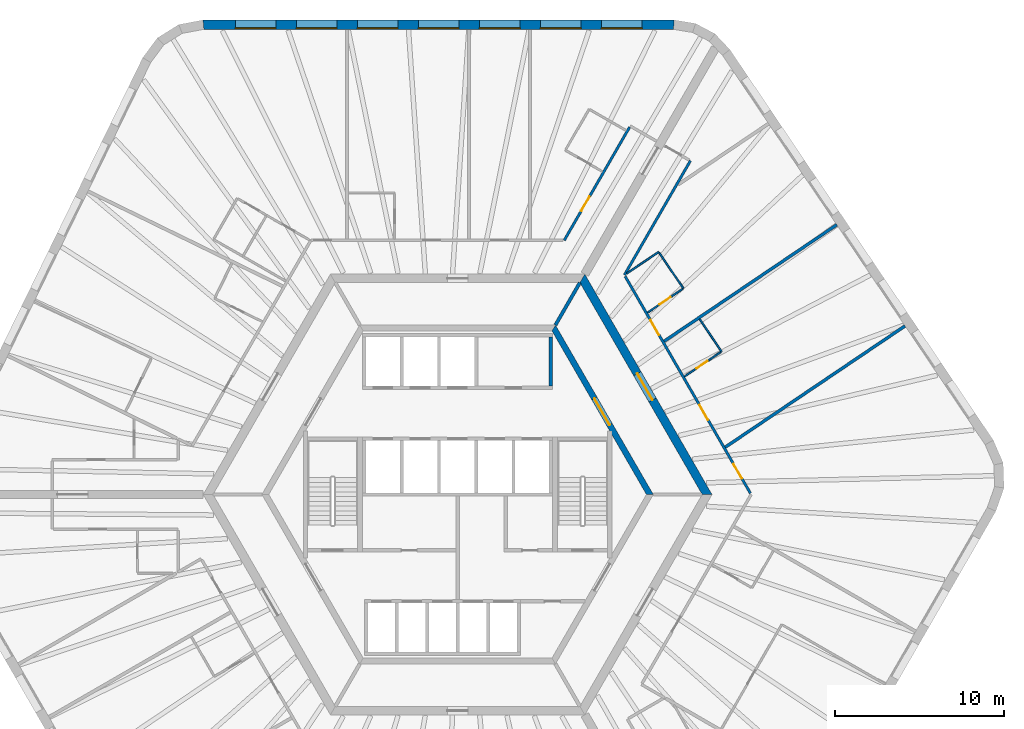
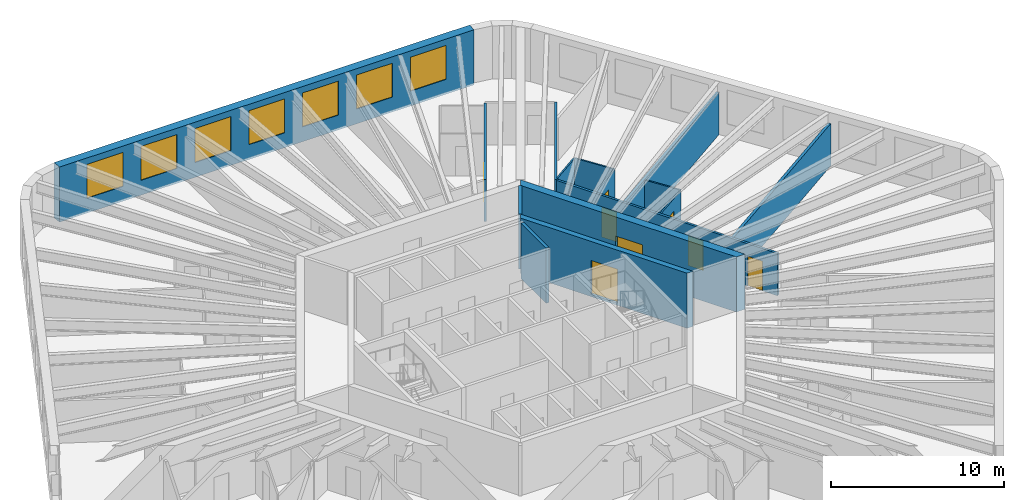
# One storey, part 8 of 10: 15 walls, 8 doors, 7 windows, 15 openings.
"""IFC4 building model written with IfcOpenShell, lengths in metres."""

from ifc_helpers import new_model, si_unit, direction, frame, frame_2d, origin, place, context, subcontext, project, spatial, polyline, rectangle, outline, extrude, material, layer, layer_set, type_object, element, fill, save


model = new_model("IFC4")

# Units and contexts
model_context = context("Model", 3, precision=1e-05, world=origin(), true_north=direction((0.0, 1.0)))
body_context = subcontext(model_context, "Body", "Model", "MODEL_VIEW")
ifc_project = project(units=[si_unit("LENGTHUNIT", "METRE"), si_unit("AREAUNIT", "SQUARE_METRE"), si_unit("VOLUMEUNIT", "CUBIC_METRE"), si_unit("PLANEANGLEUNIT", "RADIAN"), si_unit("MASSUNIT", "GRAM", prefix="KILO")], contexts=[model_context])

# Site, building, storey
site_placement = place(None, origin())
site = spatial("IfcSite", under=ifc_project, at=site_placement, CompositionType="ELEMENT")
building_placement = place(site_placement, origin())
building = spatial("IfcBuilding", under=site, at=building_placement, Name="Tarnside Tower", CompositionType="ELEMENT")
storey_placement = place(building_placement, frame((0.0, 0.0, 211.199951171875)))
storey = spatial("IfcBuildingStorey", under=building, at=storey_placement, Name="L50", CompositionType="ELEMENT", Elevation=211.199951171875)

# Wall
ifc_material_1 = material(Name="Gypsum board partition on steel studs", Category="steel")
ifc_layer_1 = layer(ifc_material_1, 0.10009765625)
ifc_layer_set_1 = layer_set([ifc_layer_1], Name="Bathroom wall 100")
wall_type_1 = type_object("IfcWallType", Name="Bathroom wall 100", PredefinedType="PARTITIONING", material=ifc_layer_set_1)
wall_1_placement = place(storey_placement, frame((14.287109375, 10.350830078125, 0.0), z_axis=(0.0, 0.0, 1.0), x_axis=(0.559204176839, -0.829029968461, 0.0)))
element("IfcWall", 1, at=wall_1_placement, inside=storey, type_object=wall_type_1, Name="Bathroom wall 16107", PredefinedType="PARTITIONING", context=body_context, shape_type="SweptSolid", body=[
    extrude(rectangle(XDim=2.31005859375, YDim=0.10009765625, at=frame_2d((1.155029296875, 0.0))), origin(), (0.0, 0.0, 1.0), 2.98779296875),
])

# Wall, opening, door
wall_2_placement = place(storey_placement, frame((15.537353515625, 8.40771484375, 0.0), z_axis=(0.0, 0.0, 1.0), x_axis=(-0.829051810631, -0.559171794076, 0.0)))
wall_2 = element("IfcWall", 2, at=wall_2_placement, inside=storey, type_object=wall_type_1, Name="Bathroom wall 16108", PredefinedType="PARTITIONING", context=body_context, shape_type="SweptSolid", body=[
    extrude(rectangle(XDim=2.5908203125, YDim=0.10009765625, at=frame_2d((1.29541015625, 0.0))), origin(), (0.0, 0.0, 1.0), 2.98779296875),
])
opening_1_placement = place(wall_2_placement, frame((0.949951171875, 0.0, 0.0)))
opening_1 = element("IfcOpeningElement", 3, at=opening_1_placement, cuts=wall_2, Name="Opening D-B1", PredefinedType="OPENING", context=body_context, shape_type="SweptSolid", body=[
    extrude(rectangle(XDim=0.800048828125, YDim=2.10009765625, at=frame_2d((0.39990234375, 1.050048828125))), frame((0.0, 0.06005859375, 0.0), z_axis=(0.0, -1.0, 0.0), x_axis=(1.0, 0.0, 0.0)), (0.0, 0.0, 1.0), 0.1201171875),
])
ifc_material_2 = material(Name="Timber door leaf", Category="wood")
door_type_1 = type_object("IfcDoorType", Name="Bathroom door 800", OperationType="NOTDEFINED", PredefinedType="DOOR", material=ifc_material_2)
door_1_placement = place(opening_1_placement, origin())
door_1 = element("IfcDoor", 4, at=door_1_placement, inside=storey, type_object=door_type_1, Name="Bathroom door 16032", OperationType="SINGLE_SWING_LEFT", OverallHeight=2.10009765625, OverallWidth=0.800048828125, PredefinedType="DOOR", context=body_context, shape_type="SweptSolid", body=[
    extrude(rectangle(XDim=0.800048828125, YDim=2.10009765625, at=frame_2d((0.39990234375, 1.050048828125))), frame((0.0, 0.02490234375, 0.0), z_axis=(0.0, -1.0, 0.0), x_axis=(1.0, 0.0, 0.0)), (0.0, 0.0, 1.0), 0.050048828125),
])
fill(opening_1, door_1)

# Walls
wall_3_placement = place(storey_placement, frame((9.985595703125, 13.045654296875, 0.0), z_axis=(0.0, 0.0, 1.0), x_axis=(0.829043139518, 0.55918465002, 0.0)))
element("IfcWall", 5, at=wall_3_placement, inside=storey, type_object=wall_type_1, Name="Bathroom wall 16111", PredefinedType="PARTITIONING", context=body_context, shape_type="SweptSolid", body=[
    extrude(rectangle(XDim=2.269775390625, YDim=0.10009765625, at=frame_2d((1.134765625, 0.0))), origin(), (0.0, 0.0, 1.0), 2.98779296875),
])
wall_4_placement = place(storey_placement, frame((11.8955078125, 14.2734375, 0.0), z_axis=(0.0, 0.0, 1.0), x_axis=(0.559155442782, -0.829062838878, 0.0)))
element("IfcWall", 6, at=wall_4_placement, inside=storey, type_object=wall_type_1, Name="Bathroom wall 16112", PredefinedType="PARTITIONING", context=body_context, shape_type="SweptSolid", body=[
    extrude(rectangle(XDim=2.5498046875, YDim=0.10009765625, at=frame_2d((1.27490234375, 0.0))), origin(), (0.0, 0.0, 1.0), 2.98779296875),
])

# Wall, opening, door
wall_5_placement = place(storey_placement, frame((13.27978515625, 12.131591796875, 0.0), z_axis=(0.0, 0.0, 1.0), x_axis=(-0.829015218944, -0.559226042634, 0.0)))
wall_5 = element("IfcWall", 7, at=wall_5_placement, inside=storey, type_object=wall_type_1, Name="Bathroom wall 16113", PredefinedType="PARTITIONING", context=body_context, shape_type="SweptSolid", body=[
    extrude(rectangle(XDim=2.49755859375, YDim=0.10009765625, at=frame_2d((1.248779296875, 0.0))), origin(), (0.0, 0.0, 1.0), 2.98779296875),
])
opening_2_placement = place(wall_5_placement, frame((0.85009765625, 0.0, 0.0)))
opening_2 = element("IfcOpeningElement", 8, at=opening_2_placement, cuts=wall_5, Name="Opening D-B1", PredefinedType="OPENING", context=body_context, shape_type="SweptSolid", body=[
    extrude(rectangle(XDim=0.800048828125, YDim=2.10009765625, at=frame_2d((0.39990234375, 1.050048828125))), frame((0.0, 0.06005859375, 0.0), z_axis=(0.0, -1.0, 0.0), x_axis=(1.0, 0.0, 0.0)), (0.0, 0.0, 1.0), 0.1201171875),
])
door_2_placement = place(opening_2_placement, origin())
door_2 = element("IfcDoor", 9, at=door_2_placement, inside=storey, type_object=door_type_1, Name="Bathroom door 16034", OperationType="SINGLE_SWING_LEFT", OverallHeight=2.10009765625, OverallWidth=0.800048828125, PredefinedType="DOOR", context=body_context, shape_type="SweptSolid", body=[
    extrude(rectangle(XDim=0.800048828125, YDim=2.10009765625, at=frame_2d((0.39990234375, 1.050048828125))), frame((0.0, 0.02490234375, 0.0), z_axis=(0.0, -1.0, 0.0), x_axis=(1.0, 0.0, 0.0)), (0.0, 0.0, 1.0), 0.050048828125),
])
fill(opening_2, door_2)

ifc_material_3 = material(Name="Concrete C50/60", Category="concrete")
ifc_layer_2 = layer(ifc_material_3, 0.35009765625)
ifc_layer_set_2 = layer_set([ifc_layer_2], Name="Core block wall 350 C50/60")
wall_type_2 = type_object("IfcWallType", Name="Core block wall 350 C50/60", PredefinedType="SHEAR", material=ifc_layer_set_2)
wall_6_placement = place(storey_placement, frame((11.344970703125, 0.0, -0.14990234375), z_axis=(0.0, 0.0, 1.0), x_axis=(-0.499995046907, 0.866028263435, 0.0)))
wall_6 = element("IfcWall", 10, at=wall_6_placement, inside=storey, type_object=wall_type_2, Name="L50 core block wall face 6", PredefinedType="SHEAR", context=body_context, shape_type="SweptSolid", body=[
    extrude(outline(polyline([(-0.10107421875, -0.175048828125), (11.44580078125, -0.175048828125), (11.24365234375, 0.175048828125), (0.10107421875, 0.175048828125), (-0.10107421875, -0.175048828125)])), origin(), (0.0, 0.0, 1.0), 3.89990234375),
])
opening_3_placement = place(wall_6_placement, frame((4.74365234375, 0.0, 0.14990234375)))
opening_3 = element("IfcOpeningElement", 11, at=opening_3_placement, cuts=wall_6, Name="Opening CD-LOB", PredefinedType="OPENING", context=body_context, shape_type="SweptSolid", body=[
    extrude(rectangle(XDim=1.800048828125, YDim=2.39990234375, at=frame_2d((0.89990234375, 1.199951171875))), frame((0.0, 0.18505859375, 0.0), z_axis=(0.0, -1.0, 0.0), x_axis=(1.0, 0.0, 0.0)), (0.0, 0.0, 1.0), 0.3701171875),
])
ifc_material_4 = material(Name="Steel fire door", Category="steel")
door_type_2 = type_object("IfcDoorType", Name="Lobby double door FD30S 1800x2400", OperationType="NOTDEFINED", PredefinedType="DOOR", material=ifc_material_4)
door_3_placement = place(opening_3_placement, origin())
door_3 = element("IfcDoor", 12, at=door_3_placement, inside=storey, type_object=door_type_2, Name="L50 lobby block door P2", OperationType="DOUBLE_DOOR_SINGLE_SWING", OverallHeight=2.39990234375, OverallWidth=1.800048828125, PredefinedType="DOOR", context=body_context, shape_type="SweptSolid", body=[
    extrude(rectangle(XDim=1.800048828125, YDim=2.39990234375, at=frame_2d((0.89990234375, 1.199951171875))), frame((0.0, 0.02490234375, 0.0), z_axis=(0.0, -1.0, 0.0), x_axis=(1.0, 0.0, 0.0)), (0.0, 0.0, 1.0), 0.050048828125),
])
fill(opening_3, door_3)

ifc_material_5 = material(Name="Concrete C70/85", Category="concrete")
ifc_layer_3 = layer(ifc_material_5, 0.5)
ifc_layer_set_3 = layer_set([ifc_layer_3], Name="Core wall Z2 500 C70/85")
wall_type_3 = type_object("IfcWallType", Name="Core wall Z2 500 C70/85", PredefinedType="SHEAR", material=ifc_layer_set_3)
wall_7_placement = place(storey_placement, frame((14.722412109375, 0.0, -0.14990234375), z_axis=(0.0, 0.0, 1.0), x_axis=(-0.50000571537, 0.866022103989, 0.0)))
wall_7 = element("IfcWall", 13, at=wall_7_placement, inside=storey, type_object=wall_type_3, Name="L50 core wall face 6", PredefinedType="SHEAR", context=body_context, shape_type="SweptSolid", body=[
    extrude(outline(polyline([(-0.144287109375, -0.25), (14.86669921875, -0.25), (14.578125, 0.25), (0.144287109375, 0.25), (-0.144287109375, -0.25)])), origin(), (0.0, 0.0, 1.0), 3.89990234375),
])
opening_4_placement = place(wall_7_placement, frame((6.432373046875, 0.0, 0.14990234375)))
opening_4 = element("IfcOpeningElement", 14, at=opening_4_placement, cuts=wall_7, Name="Opening CD-LOB", PredefinedType="OPENING", context=body_context, shape_type="SweptSolid", body=[
    extrude(rectangle(XDim=1.800048828125, YDim=2.39990234375, at=frame_2d((0.89990234375, 1.199951171875))), frame((0.0, 0.260009765625, 0.0), z_axis=(0.0, -1.0, 0.0), x_axis=(1.0, 0.0, 0.0)), (0.0, 0.0, 1.0), 0.52001953125),
])
door_4_placement = place(opening_4_placement, origin())
door_4 = element("IfcDoor", 15, at=door_4_placement, inside=storey, type_object=door_type_2, Name="L50 core door P2", OperationType="DOUBLE_DOOR_SINGLE_SWING", OverallHeight=2.39990234375, OverallWidth=1.800048828125, PredefinedType="DOOR", context=body_context, shape_type="SweptSolid", body=[
    extrude(rectangle(XDim=1.800048828125, YDim=2.39990234375, at=frame_2d((0.89990234375, 1.199951171875))), frame((0.0, 0.02490234375, 0.0), z_axis=(0.0, -1.0, 0.0), x_axis=(1.0, 0.0, 0.0)), (0.0, 0.0, 1.0), 0.050048828125),
])
fill(opening_4, door_4)

ifc_layer_4 = layer(ifc_material_1, 0.14990234375)
ifc_layer_set_4 = layer_set([ifc_layer_4], Name="Corridor wall 150 EI 60")
wall_type_4 = type_object("IfcWallType", Name="Corridor wall 150 EI 60", PredefinedType="PARTITIONING", material=ifc_layer_set_4)
wall_8_placement = place(storey_placement, frame((10.148681640625, 21.677978515625, 0.0), z_axis=(0.0, 0.0, 1.0), x_axis=(-0.499993780622, -0.866028994514, 0.0)))
wall_8 = element("IfcWall", 16, at=wall_8_placement, inside=storey, type_object=wall_type_4, Name="Corridor wall 16001", PredefinedType="PARTITIONING", context=body_context, shape_type="SweptSolid", body=[
    extrude(rectangle(XDim=7.7109375, YDim=0.14990234375, at=frame_2d((3.85546875, 0.0))), origin(), (0.0, 0.0, 1.0), 2.98779296875),
])
opening_5_placement = place(wall_8_placement, frame((4.718017578125, 0.0, 0.0)))
opening_5 = element("IfcOpeningElement", 17, at=opening_5_placement, cuts=wall_8, Name="Opening D-E1", PredefinedType="OPENING", context=body_context, shape_type="SweptSolid", body=[
    extrude(rectangle(XDim=1.0, YDim=2.10009765625, at=frame_2d((0.5, 1.050048828125))), frame((0.0, 0.0849609375, 0.0), z_axis=(0.0, -1.0, 0.0), x_axis=(1.0, 0.0, 0.0)), (0.0, 0.0, 1.0), 0.169921875),
])
door_type_3 = type_object("IfcDoorType", Name="Unit entrance door 1000 FD30S", OperationType="NOTDEFINED", PredefinedType="DOOR", material=ifc_material_2)
door_5_placement = place(opening_5_placement, origin())
door_5 = element("IfcDoor", 18, at=door_5_placement, inside=storey, type_object=door_type_3, Name="Unit door 16001", OperationType="SINGLE_SWING_LEFT", OverallHeight=2.10009765625, OverallWidth=1.0, PredefinedType="DOOR", context=body_context, shape_type="SweptSolid", body=[
    extrude(rectangle(XDim=1.0, YDim=2.10009765625, at=frame_2d((0.5, 1.050048828125))), frame((0.0, 0.02490234375, 0.0), z_axis=(0.0, -1.0, 0.0), x_axis=(1.0, 0.0, 0.0)), (0.0, 0.0, 1.0), 0.050048828125),
])
fill(opening_5, door_5)

# Wall, openings, doors
wall_9_placement = place(storey_placement, frame((17.277099609375, 0.074951171875, 0.0), z_axis=(0.0, 0.0, 1.0), x_axis=(-0.499988884089, 0.866031821464, 0.0)))
wall_9 = element("IfcWall", 19, at=wall_9_placement, inside=storey, type_object=wall_type_4, Name="Corridor wall 16043", PredefinedType="PARTITIONING", context=body_context, shape_type="SweptSolid", body=[
    extrude(rectangle(XDim=14.780029296875, YDim=0.14990234375, at=frame_2d((7.39013671875, 0.0))), origin(), (0.0, 0.0, 1.0), 2.98779296875),
])
opening_6_placement = place(wall_9_placement, frame((1.0009765625, 0.0, 0.0)))
opening_6 = element("IfcOpeningElement", 20, at=opening_6_placement, cuts=wall_9, Name="Opening D-E1", PredefinedType="OPENING", context=body_context, shape_type="SweptSolid", body=[
    extrude(rectangle(XDim=1.0, YDim=2.10009765625, at=frame_2d((0.5, 1.050048828125))), frame((0.0, 0.0849609375, 0.0), z_axis=(0.0, -1.0, 0.0), x_axis=(1.0, 0.0, 0.0)), (0.0, 0.0, 1.0), 0.169921875),
])
opening_7_placement = place(wall_9_placement, frame((5.00048828125, 0.0, 0.0)))
opening_7 = element("IfcOpeningElement", 21, at=opening_7_placement, cuts=wall_9, Name="Opening D-E1", PredefinedType="OPENING", context=body_context, shape_type="SweptSolid", body=[
    extrude(rectangle(XDim=1.0, YDim=2.10009765625, at=frame_2d((0.5, 1.050048828125))), frame((0.0, 0.0849609375, 0.0), z_axis=(0.0, -1.0, 0.0), x_axis=(1.0, 0.0, 0.0)), (0.0, 0.0, 1.0), 0.169921875),
])
opening_8_placement = place(wall_9_placement, frame((10.789794921875, 0.0, 0.0)))
opening_8 = element("IfcOpeningElement", 22, at=opening_8_placement, cuts=wall_9, Name="Opening D-E1", PredefinedType="OPENING", context=body_context, shape_type="SweptSolid", body=[
    extrude(rectangle(XDim=1.0, YDim=2.10009765625, at=frame_2d((0.5, 1.050048828125))), frame((0.0, 0.0849609375, 0.0), z_axis=(0.0, -1.0, 0.0), x_axis=(1.0, 0.0, 0.0)), (0.0, 0.0, 1.0), 0.169921875),
])
door_6_placement = place(opening_6_placement, origin())
door_6 = element("IfcDoor", 23, at=door_6_placement, inside=storey, type_object=door_type_3, Name="Unit door 16030", OperationType="SINGLE_SWING_RIGHT", OverallHeight=2.10009765625, OverallWidth=1.0, PredefinedType="DOOR", context=body_context, shape_type="SweptSolid", body=[
    extrude(rectangle(XDim=1.0, YDim=2.10009765625, at=frame_2d((0.5, 1.050048828125))), frame((0.0, 0.02490234375, 0.0), z_axis=(0.0, -1.0, 0.0), x_axis=(1.0, 0.0, 0.0)), (0.0, 0.0, 1.0), 0.050048828125),
])
fill(opening_6, door_6)
door_7_placement = place(opening_7_placement, origin())
door_7 = element("IfcDoor", 24, at=door_7_placement, inside=storey, type_object=door_type_3, Name="Unit door 16031", OperationType="SINGLE_SWING_LEFT", OverallHeight=2.10009765625, OverallWidth=1.0, PredefinedType="DOOR", context=body_context, shape_type="SweptSolid", body=[
    extrude(rectangle(XDim=1.0, YDim=2.10009765625, at=frame_2d((0.5, 1.050048828125))), frame((0.0, 0.02490234375, 0.0), z_axis=(0.0, -1.0, 0.0), x_axis=(1.0, 0.0, 0.0)), (0.0, 0.0, 1.0), 0.050048828125),
])
fill(opening_7, door_7)
door_8_placement = place(opening_8_placement, origin())
door_8 = element("IfcDoor", 25, at=door_8_placement, inside=storey, type_object=door_type_3, Name="Unit door 16033", OperationType="SINGLE_SWING_RIGHT", OverallHeight=2.10009765625, OverallWidth=1.0, PredefinedType="DOOR", context=body_context, shape_type="SweptSolid", body=[
    extrude(rectangle(XDim=1.0, YDim=2.10009765625, at=frame_2d((0.5, 1.050048828125))), frame((0.0, 0.02490234375, 0.0), z_axis=(0.0, -1.0, 0.0), x_axis=(1.0, 0.0, 0.0)), (0.0, 0.0, 1.0), 0.050048828125),
])
fill(opening_8, door_8)

# Walls
wall_10_placement = place(storey_placement, frame((9.84375, 12.949951171875, 0.0), z_axis=(0.0, 0.0, 1.0), x_axis=(0.500003831281, 0.866023191782, 0.0)))
element("IfcWall", 26, at=wall_10_placement, inside=storey, type_object=wall_type_4, Name="Corridor wall 16046", PredefinedType="PARTITIONING", context=body_context, shape_type="SweptSolid", body=[
    extrude(rectangle(XDim=7.7861328125, YDim=0.14990234375, at=frame_2d((3.89306640625, 0.0))), origin(), (0.0, 0.0, 1.0), 2.98779296875),
])
ifc_layer_5 = layer(ifc_material_1, 0.179931640625)
ifc_layer_set_5 = layer_set([ifc_layer_5], Name="Demising wall 180 EI 60")
wall_type_5 = type_object("IfcWallType", Name="Demising wall 180 EI 60", PredefinedType="PARTITIONING", material=ifc_layer_set_5)
wall_11_placement = place(storey_placement, frame((26.40185546875, 9.9462890625, 0.0), z_axis=(0.0, 0.0, 1.0), x_axis=(-0.829037771727, -0.559192608187, 0.0)))
element("IfcWall", 27, at=wall_11_placement, inside=storey, type_object=wall_type_5, Name="Demising wall 16106", PredefinedType="PARTITIONING", context=body_context, shape_type="SweptSolid", body=[
    extrude(rectangle(XDim=12.7939453125, YDim=0.179931640625, at=frame_2d((6.39697265625, 0.0))), origin(), (0.0, 0.0, 1.0), 2.98779296875),
])
wall_12_placement = place(storey_placement, frame((22.375732421875, 15.915283203125, 0.0), z_axis=(0.0, 0.0, 1.0), x_axis=(-0.829034008237, -0.559198187753, 0.0)))
element("IfcWall", 28, at=wall_12_placement, inside=storey, type_object=wall_type_5, Name="Demising wall 16109", PredefinedType="PARTITIONING", context=body_context, shape_type="SweptSolid", body=[
    extrude(rectangle(XDim=12.29052734375, YDim=0.179931640625, at=frame_2d((6.145263671875, 0.0))), origin(), (0.0, 0.0, 1.0), 2.98779296875),
])
ifc_material_6 = material(Name="Concrete C40/50", Category="concrete")
ifc_layer_6 = layer(ifc_material_6, 0.199951171875)
ifc_layer_set_6 = layer_set([ifc_layer_6], Name="Lift shaft wall 200 C40/50")
wall_type_6 = type_object("IfcWallType", Name="Lift shaft wall 200 C40/50", PredefinedType="SHEAR", material=ifc_layer_set_6)
wall_13_placement = place(storey_placement, frame((5.5, 6.39990234375, -0.25), z_axis=(0.0, 0.0, 1.0), x_axis=(0.0, 1.0, 0.0)))
element("IfcWall", 29, at=wall_13_placement, inside=storey, type_object=wall_type_6, Name="L50 lift shaft partition R16", PredefinedType="SHEAR", context=body_context, shape_type="SweptSolid", body=[
    extrude(rectangle(XDim=2.900146484375, YDim=0.199951171875, at=frame_2d((1.4501953125, 0.0))), origin(), (0.0, 0.0, 1.0), 3.900146484375),
])
wall_14_placement = place(storey_placement, frame((5.7734375, 10.0, -0.14990234375), z_axis=(0.0, 0.0, 1.0), x_axis=(0.499995765644, 0.866027848477, 0.0)))
element("IfcWall", 30, at=wall_14_placement, inside=storey, type_object=wall_type_6, Name="L50 core partition AR60", PredefinedType="SHEAR", context=body_context, shape_type="SweptSolid", body=[
    extrude(rectangle(XDim=2.88671875, YDim=0.199951171875, at=frame_2d((1.443359375, 0.0))), origin(), (0.0, 0.0, 1.0), 3.89990234375),
])

# Wall, openings, windows
ifc_material_7 = material(Name="Facing brick", Category="masonry")
ifc_layer_7 = layer(ifc_material_7, 0.10205078125)
ifc_material_8 = material(Name="Concrete C60/75 precast", Category="concrete")
ifc_layer_8 = layer(ifc_material_8, 0.347900390625)
ifc_material_9 = material(Name="Mineral wool insulation")
ifc_layer_9 = layer(ifc_material_9, 0.10009765625)
ifc_layer_set_7 = layer_set([ifc_layer_7, ifc_layer_8, ifc_layer_9], Name="Tube wall 550 brick faced")
wall_type_7 = type_object("IfcWallType", Name="Tube wall 550 brick faced", PredefinedType="SOLIDWALL", material=ifc_layer_set_7)
wall_15_placement = place(storey_placement, frame((12.760986328125, 27.72509765625, -0.14990234375), z_axis=(0.0, 0.0, 1.0), x_axis=(-1.0, 0.0, 0.0)))
wall_15 = element("IfcWall", 31, at=wall_15_placement, inside=storey, type_object=wall_type_7, Name="Tube wall L50 F1 flush 00", PredefinedType="SOLIDWALL", context=body_context, shape_type="SweptSolid", body=[
    extrude(outline(polyline([(-0.0224609375, -0.27490234375), (27.783447265625, -0.27490234375), (27.732177734375, 0.27490234375), (0.0224609375, 0.27490234375), (-0.0224609375, -0.27490234375)])), origin(), (0.0, 0.0, 1.0), 3.89990234375),
])
opening_9_placement = place(wall_15_placement, frame((1.87890625, 0.0, 1.050048828125)))
opening_9 = element("IfcOpeningElement", 32, at=opening_9_placement, cuts=wall_15, Name="Opening WH", PredefinedType="OPENING", context=body_context, shape_type="SweptSolid", body=[
    extrude(rectangle(XDim=2.39990234375, YDim=2.39990234375, at=frame_2d((1.199951171875, 1.199951171875))), frame((0.0, 0.28515625, 0.0), z_axis=(0.0, -1.0, 0.0), x_axis=(1.0, 0.0, 0.0)), (0.0, 0.0, 1.0), 0.570068359375),
])
opening_10_placement = place(wall_15_placement, frame((5.47900390625, 0.0, 1.050048828125)))
opening_10 = element("IfcOpeningElement", 33, at=opening_10_placement, cuts=wall_15, Name="Opening WH", PredefinedType="OPENING", context=body_context, shape_type="SweptSolid", body=[
    extrude(rectangle(XDim=2.39990234375, YDim=2.39990234375, at=frame_2d((1.199951171875, 1.199951171875))), frame((0.0, 0.28515625, 0.0), z_axis=(0.0, -1.0, 0.0), x_axis=(1.0, 0.0, 0.0)), (0.0, 0.0, 1.0), 0.570068359375),
])
opening_11_placement = place(wall_15_placement, frame((9.078857421875, 0.0, 1.050048828125)))
opening_11 = element("IfcOpeningElement", 34, at=opening_11_placement, cuts=wall_15, Name="Opening WH", PredefinedType="OPENING", context=body_context, shape_type="SweptSolid", body=[
    extrude(rectangle(XDim=2.39990234375, YDim=2.39990234375, at=frame_2d((1.199951171875, 1.199951171875))), frame((0.0, 0.28515625, 0.0), z_axis=(0.0, -1.0, 0.0), x_axis=(1.0, 0.0, 0.0)), (0.0, 0.0, 1.0), 0.570068359375),
])
opening_12_placement = place(wall_15_placement, frame((12.678955078125, 0.0, 1.050048828125)))
opening_12 = element("IfcOpeningElement", 35, at=opening_12_placement, cuts=wall_15, Name="Opening WH", PredefinedType="OPENING", context=body_context, shape_type="SweptSolid", body=[
    extrude(rectangle(XDim=2.39990234375, YDim=2.39990234375, at=frame_2d((1.199951171875, 1.199951171875))), frame((0.0, 0.28515625, 0.0), z_axis=(0.0, -1.0, 0.0), x_axis=(1.0, 0.0, 0.0)), (0.0, 0.0, 1.0), 0.570068359375),
])
opening_13_placement = place(wall_15_placement, frame((16.27880859375, 0.0, 1.050048828125)))
opening_13 = element("IfcOpeningElement", 36, at=opening_13_placement, cuts=wall_15, Name="Opening WH", PredefinedType="OPENING", context=body_context, shape_type="SweptSolid", body=[
    extrude(rectangle(XDim=2.39990234375, YDim=2.39990234375, at=frame_2d((1.199951171875, 1.199951171875))), frame((0.0, 0.28515625, 0.0), z_axis=(0.0, -1.0, 0.0), x_axis=(1.0, 0.0, 0.0)), (0.0, 0.0, 1.0), 0.570068359375),
])
opening_14_placement = place(wall_15_placement, frame((19.87890625, 0.0, 1.050048828125)))
opening_14 = element("IfcOpeningElement", 37, at=opening_14_placement, cuts=wall_15, Name="Opening WH", PredefinedType="OPENING", context=body_context, shape_type="SweptSolid", body=[
    extrude(rectangle(XDim=2.39990234375, YDim=2.39990234375, at=frame_2d((1.199951171875, 1.199951171875))), frame((0.0, 0.28515625, 0.0), z_axis=(0.0, -1.0, 0.0), x_axis=(1.0, 0.0, 0.0)), (0.0, 0.0, 1.0), 0.570068359375),
])
opening_15_placement = place(wall_15_placement, frame((23.47900390625, 0.0, 1.050048828125)))
opening_15 = element("IfcOpeningElement", 38, at=opening_15_placement, cuts=wall_15, Name="Opening WH", PredefinedType="OPENING", context=body_context, shape_type="SweptSolid", body=[
    extrude(rectangle(XDim=2.39990234375, YDim=2.39990234375, at=frame_2d((1.199951171875, 1.199951171875))), frame((0.0, 0.28515625, 0.0), z_axis=(0.0, -1.0, 0.0), x_axis=(1.0, 0.0, 0.0)), (0.0, 0.0, 1.0), 0.570068359375),
])
ifc_material_10 = material(Name="Aluminium-framed double glazing", Category="aluminium")
window_type = type_object("IfcWindowType", Name="Hotel window 2400 x 2400", PartitioningType="DOUBLE_PANEL_VERTICAL", PredefinedType="WINDOW", material=ifc_material_10)
window_1_placement = place(opening_9_placement, frame((0.0, 0.205078125, 0.0)))
window_1 = element("IfcWindow", 39, at=window_1_placement, inside=storey, type_object=window_type, Name="E.WN.L50.F1.00", OverallHeight=2.39990234375, OverallWidth=2.39990234375, PartitioningType="DOUBLE_PANEL_VERTICAL", PredefinedType="WINDOW", context=body_context, shape_type="SweptSolid", body=[
    extrude(rectangle(XDim=2.39990234375, YDim=2.39990234375, at=frame_2d((1.199951171875, 1.199951171875))), frame((0.0, 0.030029296875, 0.0), z_axis=(0.0, -1.0, 0.0), x_axis=(1.0, 0.0, 0.0)), (0.0, 0.0, 1.0), 0.06005859375),
])
fill(opening_9, window_1)
window_2_placement = place(opening_10_placement, frame((0.0, 0.205078125, 0.0)))
window_2 = element("IfcWindow", 40, at=window_2_placement, inside=storey, type_object=window_type, Name="E.WN.L50.F1.01", OverallHeight=2.39990234375, OverallWidth=2.39990234375, PartitioningType="DOUBLE_PANEL_VERTICAL", PredefinedType="WINDOW", context=body_context, shape_type="SweptSolid", body=[
    extrude(rectangle(XDim=2.39990234375, YDim=2.39990234375, at=frame_2d((1.199951171875, 1.199951171875))), frame((0.0, 0.030029296875, 0.0), z_axis=(0.0, -1.0, 0.0), x_axis=(1.0, 0.0, 0.0)), (0.0, 0.0, 1.0), 0.06005859375),
])
fill(opening_10, window_2)
window_3_placement = place(opening_11_placement, frame((0.0, 0.205078125, 0.0)))
window_3 = element("IfcWindow", 41, at=window_3_placement, inside=storey, type_object=window_type, Name="E.WN.L50.F1.02", OverallHeight=2.39990234375, OverallWidth=2.39990234375, PartitioningType="DOUBLE_PANEL_VERTICAL", PredefinedType="WINDOW", context=body_context, shape_type="SweptSolid", body=[
    extrude(rectangle(XDim=2.39990234375, YDim=2.39990234375, at=frame_2d((1.199951171875, 1.199951171875))), frame((0.0, 0.030029296875, 0.0), z_axis=(0.0, -1.0, 0.0), x_axis=(1.0, 0.0, 0.0)), (0.0, 0.0, 1.0), 0.06005859375),
])
fill(opening_11, window_3)
window_4_placement = place(opening_12_placement, frame((0.0, 0.205078125, 0.0)))
window_4 = element("IfcWindow", 42, at=window_4_placement, inside=storey, type_object=window_type, Name="E.WN.L50.F1.03", OverallHeight=2.39990234375, OverallWidth=2.39990234375, PartitioningType="DOUBLE_PANEL_VERTICAL", PredefinedType="WINDOW", context=body_context, shape_type="SweptSolid", body=[
    extrude(rectangle(XDim=2.39990234375, YDim=2.39990234375, at=frame_2d((1.199951171875, 1.199951171875))), frame((0.0, 0.030029296875, 0.0), z_axis=(0.0, -1.0, 0.0), x_axis=(1.0, 0.0, 0.0)), (0.0, 0.0, 1.0), 0.06005859375),
])
fill(opening_12, window_4)
window_5_placement = place(opening_13_placement, frame((0.0, 0.205078125, 0.0)))
window_5 = element("IfcWindow", 43, at=window_5_placement, inside=storey, type_object=window_type, Name="E.WN.L50.F1.04", OverallHeight=2.39990234375, OverallWidth=2.39990234375, PartitioningType="DOUBLE_PANEL_VERTICAL", PredefinedType="WINDOW", context=body_context, shape_type="SweptSolid", body=[
    extrude(rectangle(XDim=2.39990234375, YDim=2.39990234375, at=frame_2d((1.199951171875, 1.199951171875))), frame((0.0, 0.030029296875, 0.0), z_axis=(0.0, -1.0, 0.0), x_axis=(1.0, 0.0, 0.0)), (0.0, 0.0, 1.0), 0.06005859375),
])
fill(opening_13, window_5)
window_6_placement = place(opening_14_placement, frame((0.0, 0.205078125, 0.0)))
window_6 = element("IfcWindow", 44, at=window_6_placement, inside=storey, type_object=window_type, Name="E.WN.L50.F1.05", OverallHeight=2.39990234375, OverallWidth=2.39990234375, PartitioningType="DOUBLE_PANEL_VERTICAL", PredefinedType="WINDOW", context=body_context, shape_type="SweptSolid", body=[
    extrude(rectangle(XDim=2.39990234375, YDim=2.39990234375, at=frame_2d((1.199951171875, 1.199951171875))), frame((0.0, 0.030029296875, 0.0), z_axis=(0.0, -1.0, 0.0), x_axis=(1.0, 0.0, 0.0)), (0.0, 0.0, 1.0), 0.06005859375),
])
fill(opening_14, window_6)
window_7_placement = place(opening_15_placement, frame((0.0, 0.205078125, 0.0)))
window_7 = element("IfcWindow", 45, at=window_7_placement, inside=storey, type_object=window_type, Name="E.WN.L50.F1.06", OverallHeight=2.39990234375, OverallWidth=2.39990234375, PartitioningType="DOUBLE_PANEL_VERTICAL", PredefinedType="WINDOW", context=body_context, shape_type="SweptSolid", body=[
    extrude(rectangle(XDim=2.39990234375, YDim=2.39990234375, at=frame_2d((1.199951171875, 1.199951171875))), frame((0.0, 0.030029296875, 0.0), z_axis=(0.0, -1.0, 0.0), x_axis=(1.0, 0.0, 0.0)), (0.0, 0.0, 1.0), 0.06005859375),
])
fill(opening_15, window_7)

save(model, "model.ifc")
